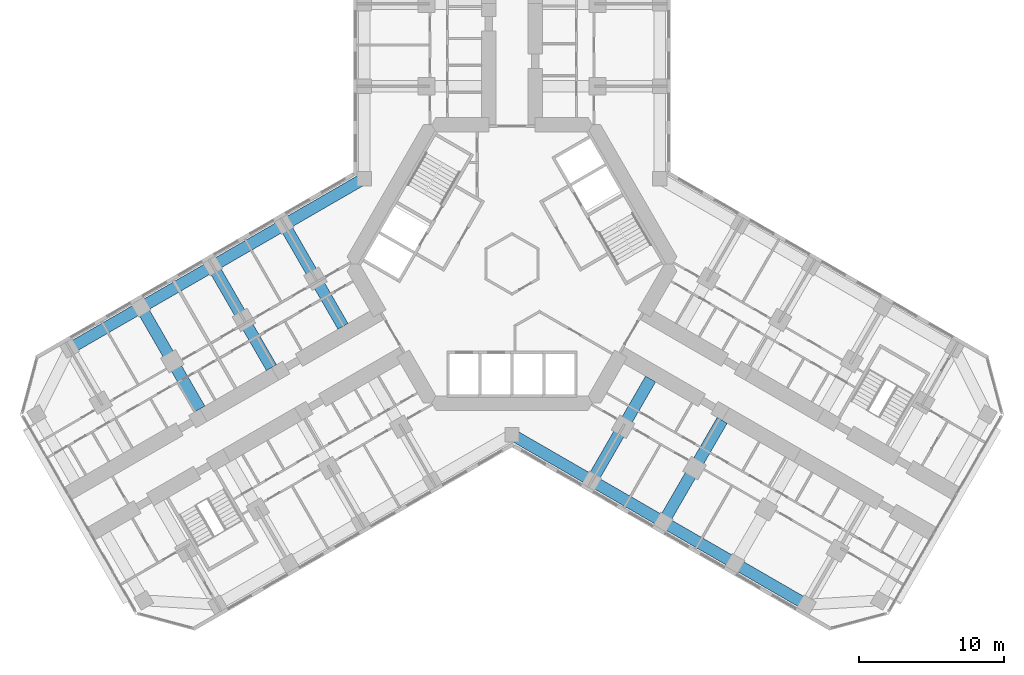
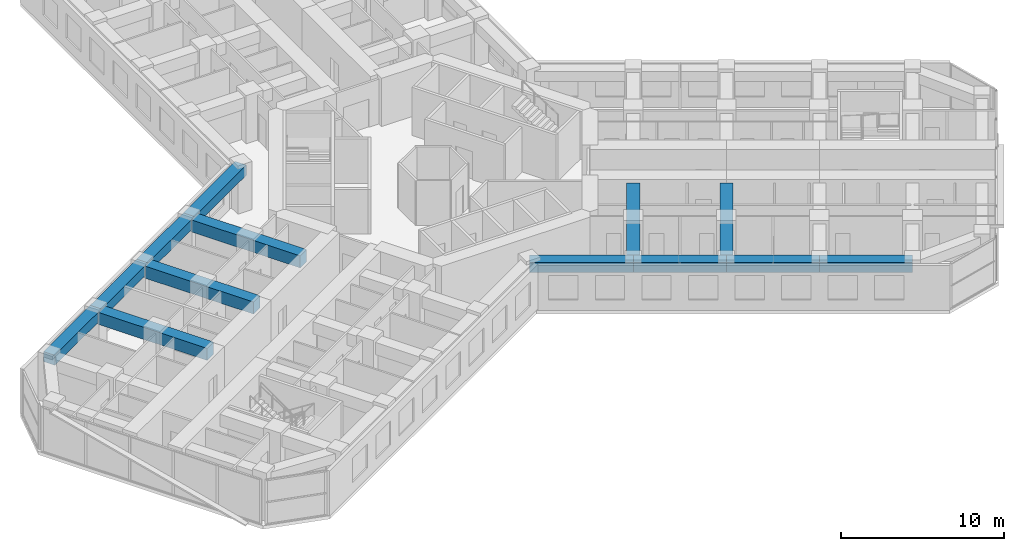
# One storey, part 4 of 21: 13 beams.
"""IFC4 building model written with IfcOpenShell, lengths in metres."""

from ifc_helpers import new_model, si_unit, direction, frame, origin, origin_2d, place, context, subcontext, project, spatial, rectangle, extrude, material, material_profile, profile_set, type_object, element, save


model = new_model("IFC4")

# Units and contexts
model_context = context("Model", 3, precision=1e-05, world=origin(), true_north=direction((0.0, 1.0)))
body_context = subcontext(model_context, "Body", "Model", "MODEL_VIEW")
ifc_project = project(units=[si_unit("LENGTHUNIT", "METRE"), si_unit("AREAUNIT", "SQUARE_METRE"), si_unit("VOLUMEUNIT", "CUBIC_METRE"), si_unit("PLANEANGLEUNIT", "RADIAN"), si_unit("MASSUNIT", "GRAM", prefix="KILO")], contexts=[model_context])

# Site, building, storey
site_placement = place(None, origin())
site = spatial("IfcSite", under=ifc_project, at=site_placement, CompositionType="ELEMENT")
building_placement = place(site_placement, origin())
building = spatial("IfcBuilding", under=site, at=building_placement, Name="Kosmar Iwan School Tower", CompositionType="ELEMENT")
storey_placement = place(building_placement, frame((0.0, 0.0, 71.800048828125)))
storey = spatial("IfcBuildingStorey", under=building, at=storey_placement, Name="L17", CompositionType="ELEMENT", Elevation=71.800048828125)

# Beams
ifc_material_1 = material(Name="Concrete C50/60", Category="concrete")
ifc_material_profile_1 = material_profile(ifc_material_1, rectangle(XDim=0.800048828125, YDim=0.75, at=origin_2d()), Name="RC 800x750")
ifc_profile_set_1 = profile_set([ifc_material_profile_1], Name="Concrete C50/60")
beam_type_1 = type_object("IfcBeamType", Name="RC edge beam 800x750", PredefinedType="BEAM", material=ifc_profile_set_1)
beam_1_placement = place(storey_placement, frame((-10.199951171875, 5.888916015625, 2.974853515625), z_axis=(-0.866030912664, -0.49999045822, 0.0), x_axis=(0.49999045822, -0.866030912664, 0.0)))
element("IfcBeam", 1, at=beam_1_placement, inside=storey, type_object=beam_type_1, Name="Edge beam BR1", PredefinedType="BEAM", context=body_context, shape_type="SweptSolid", body=[
    extrude(rectangle(XDim=0.800048828125, YDim=0.75, at=origin_2d()), origin(), (0.0, 0.0, 1.0), 6.36083984375),
])
beam_2_placement = place(storey_placement, frame((-15.708740234375, 2.70849609375, 2.974853515625), z_axis=(-0.866025820012, -0.499999279071, 0.0), x_axis=(0.499999279071, -0.866025820012, 0.0)))
element("IfcBeam", 2, at=beam_2_placement, inside=storey, type_object=beam_type_1, Name="Edge beam BR2", PredefinedType="BEAM", context=body_context, shape_type="SweptSolid", body=[
    extrude(rectangle(XDim=0.800048828125, YDim=0.75, at=origin_2d()), origin(), (0.0, 0.0, 1.0), 5.7001953125),
])
for number, where, z_axis, x_axis, name in (
    (3, (-20.645263671875, -0.1416015625, 2.974853515625), (-0.866033658841, -0.49998570155, 0.0), (0.49998570155, -0.866033658841, 0.0), "Edge beam BR3"),
    (4, (-25.58154296875, -2.991455078125, 2.974853515625), (-0.866015111908, -0.50001782563, 0.0), (0.50001782563, -0.866015111908, 0.0), "Edge beam BR4"),
):
    element("IfcBeam", number, at=place(storey_placement, frame(where, z_axis=z_axis, x_axis=x_axis)), inside=storey, type_object=beam_type_1, Name=name, PredefinedType="BEAM", context=body_context, shape_type="SweptSolid", body=[
        extrude(rectangle(XDim=0.800048828125, YDim=0.75, at=origin_2d()), origin(), (0.0, 0.0, 1.0), 5.699951171875),
    ])
beam_3_placement = place(storey_placement, frame((0.0, -11.77783203125, 2.974853515625), z_axis=(0.866014293216, -0.500019243575, 0.0), x_axis=(0.500019243575, 0.866014293216, 0.0)))
element("IfcBeam", 5, at=beam_3_placement, inside=storey, type_object=beam_type_1, Name="Edge beam CR1", PredefinedType="BEAM", context=body_context, shape_type="SweptSolid", body=[
    extrude(rectangle(XDim=0.800048828125, YDim=0.75, at=origin_2d()), origin(), (0.0, 0.0, 1.0), 6.361083984375),
])
beam_4_placement = place(storey_placement, frame((5.5087890625, -14.95849609375, 2.974853515625), z_axis=(0.866033658841, -0.49998570155, 0.0), x_axis=(0.49998570155, 0.866033658841, 0.0)))
element("IfcBeam", 6, at=beam_4_placement, inside=storey, type_object=beam_type_1, Name="Edge beam CR2", PredefinedType="BEAM", context=body_context, shape_type="SweptSolid", body=[
    extrude(rectangle(XDim=0.800048828125, YDim=0.75, at=origin_2d()), origin(), (0.0, 0.0, 1.0), 5.699951171875),
])
beam_5_placement = place(storey_placement, frame((10.445068359375, -17.808349609375, 2.974853515625), z_axis=(0.866025820012, -0.499999279071, 0.0), x_axis=(0.499999279071, 0.866025820012, 0.0)))
element("IfcBeam", 7, at=beam_5_placement, inside=storey, type_object=beam_type_1, Name="Edge beam CR3", PredefinedType="BEAM", context=body_context, shape_type="SweptSolid", body=[
    extrude(rectangle(XDim=0.800048828125, YDim=0.75, at=origin_2d()), origin(), (0.0, 0.0, 1.0), 5.7001953125),
])
beam_6_placement = place(storey_placement, frame((15.381591796875, -20.658447265625, 2.974853515625), z_axis=(0.866015111908, -0.50001782563, 0.0), x_axis=(0.50001782563, 0.866015111908, 0.0)))
element("IfcBeam", 8, at=beam_6_placement, inside=storey, type_object=beam_type_1, Name="Edge beam CR4", PredefinedType="BEAM", context=body_context, shape_type="SweptSolid", body=[
    extrude(rectangle(XDim=0.800048828125, YDim=0.75, at=origin_2d()), origin(), (0.0, 0.0, 1.0), 5.699951171875),
])
ifc_material_2 = material(Name="Concrete C50/60", Category="concrete")
ifc_material_profile_2 = material_profile(ifc_material_2, rectangle(XDim=0.800048828125, YDim=0.89990234375, at=origin_2d()), Name="RC 800x900")
ifc_profile_set_2 = profile_set([ifc_material_profile_2], Name="Concrete C50/60")
beam_type_2 = type_object("IfcBeamType", Name="RC transverse beam 800x900", PredefinedType="BEAM", material=ifc_profile_set_2)
beam_7_placement = place(storey_placement, frame((-15.708740234375, 2.70849609375, 2.89990234375), z_axis=(0.499999880539, -0.866025472755, 0.0), x_axis=(0.866025472755, 0.499999880539, 0.0)))
element("IfcBeam", 9, at=beam_7_placement, inside=storey, type_object=beam_type_2, Name="Transverse beam BR1", PredefinedType="BEAM", context=body_context, shape_type="SweptSolid", body=[
    extrude(rectangle(XDim=0.800048828125, YDim=0.89990234375, at=origin_2d()), origin(), (0.0, 0.0, 1.0), 8.10009765625),
])
beam_8_placement = place(storey_placement, frame((-20.645263671875, -0.1416015625, 2.89990234375), z_axis=(0.500012932018, -0.866017937352, 0.0), x_axis=(0.866017937352, 0.500012932018, 0.0)))
element("IfcBeam", 10, at=beam_8_placement, inside=storey, type_object=beam_type_2, Name="Transverse beam BR2", PredefinedType="BEAM", context=body_context, shape_type="SweptSolid", body=[
    extrude(rectangle(XDim=0.800048828125, YDim=0.89990234375, at=origin_2d()), origin(), (0.0, 0.0, 1.0), 8.099853515625),
])
for number, where, z_axis, x_axis, name in (
    (11, (-25.58154296875, -2.991455078125, 2.89990234375), (0.499999880539, -0.866025472755, 0.0), (0.866025472755, 0.499999880539, 0.0), "Transverse beam BR3"),
    (12, (5.5087890625, -14.95849609375, 2.89990234375), (0.499999880539, 0.866025472755, 0.0), (-0.866025472755, 0.499999880539, 0.0), "Transverse beam CR1"),
):
    element("IfcBeam", number, at=place(storey_placement, frame(where, z_axis=z_axis, x_axis=x_axis)), inside=storey, type_object=beam_type_2, Name=name, PredefinedType="BEAM", context=body_context, shape_type="SweptSolid", body=[
        extrude(rectangle(XDim=0.800048828125, YDim=0.89990234375, at=origin_2d()), origin(), (0.0, 0.0, 1.0), 8.10009765625),
    ])
beam_9_placement = place(storey_placement, frame((10.445068359375, -17.808349609375, 2.89990234375), z_axis=(0.500012932018, 0.866017937352, 0.0), x_axis=(-0.866017937352, 0.500012932018, 0.0)))
element("IfcBeam", 13, at=beam_9_placement, inside=storey, type_object=beam_type_2, Name="Transverse beam CR2", PredefinedType="BEAM", context=body_context, shape_type="SweptSolid", body=[
    extrude(rectangle(XDim=0.800048828125, YDim=0.89990234375, at=origin_2d()), origin(), (0.0, 0.0, 1.0), 8.099853515625),
])

save(model, "model.ifc")
